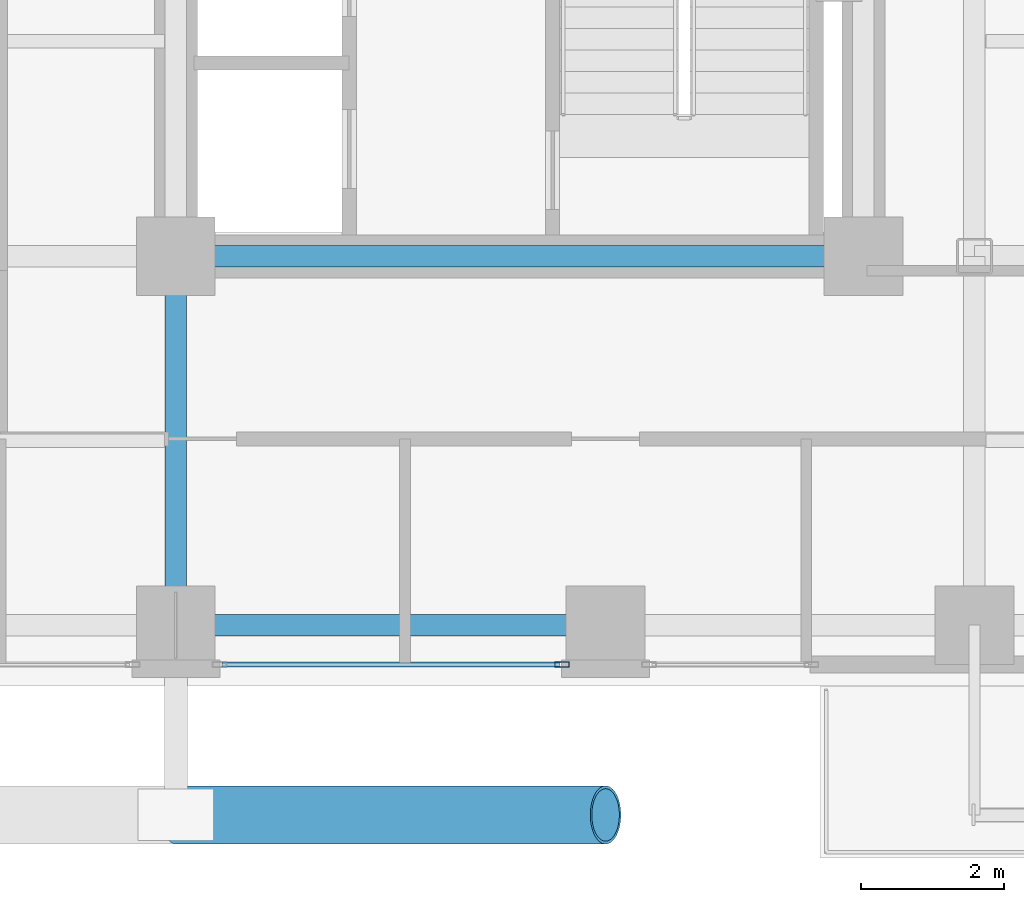
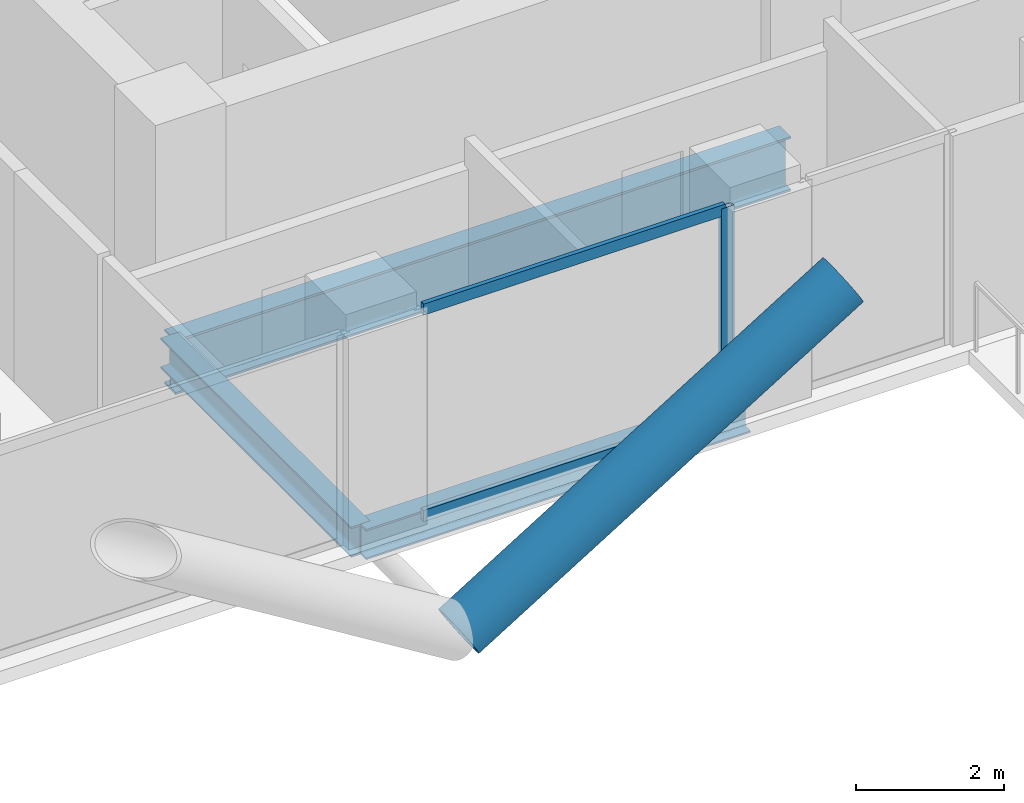
# One storey, part 5 of 28: 4 members, 3 beams, 1 element without a shape of its own.
"""IFC4 building model written with IfcOpenShell, lengths in metres."""

from ifc_helpers import new_model, si_unit, direction, frame, origin, origin_2d, place, context, subcontext, project, spatial, hollow_rectangle, hollow_circle, i_section, extrude, material, layer, layer_set, material_profile, profile_set, type_object, element, aggregate, save


model = new_model("IFC4")

# Units and contexts
model_context = context("Model", 3, precision=1e-05, world=origin(), true_north=direction((0.0, 1.0)))
body_context = subcontext(model_context, "Body", "Model", "MODEL_VIEW")
ifc_project = project(units=[si_unit("LENGTHUNIT", "METRE"), si_unit("AREAUNIT", "SQUARE_METRE"), si_unit("VOLUMEUNIT", "CUBIC_METRE"), si_unit("PLANEANGLEUNIT", "RADIAN"), si_unit("MASSUNIT", "GRAM", prefix="KILO"), si_unit("THERMODYNAMICTEMPERATUREUNIT", "KELVIN"), si_unit("POWERUNIT", "WATT")], contexts=[model_context])

# Site, building, storey
site_placement = place(None, origin())
site = spatial("IfcSite", under=ifc_project, at=site_placement, CompositionType="ELEMENT")
building_placement = place(site_placement, origin())
building = spatial("IfcBuilding", under=site, at=building_placement, Name="Svarakhadi Broadcast Tower", CompositionType="ELEMENT")
storey_placement = place(building_placement, frame((0.0, 0.0, 107.10009765625)))
storey = spatial("IfcBuildingStorey", under=building, at=storey_placement, Name="L25", CompositionType="ELEMENT", Elevation=107.10009765625)

# Curtain wall, members
ifc_material_1 = material(Name="Anodised Bronze Aluminium AA 6063-T6", Category="aluminium")
ifc_layer = layer(ifc_material_1, 0.199951171875)
ifc_layer_set = layer_set([ifc_layer], Name="Anodised Bronze Aluminium AA 6063-T6")
curtain_wall_type = type_object("IfcCurtainWallType", Name="CW_Sys_03", PredefinedType="NOTDEFINED", material=ifc_layer_set)
curtain_wall_placement = place(storey_placement, origin())
curtain_wall = element("IfcCurtainWall", 1, at=curtain_wall_placement, inside=storey, type_object=curtain_wall_type, Name="L25 South Curtain Wall 17 Bay 2", PredefinedType="NOTDEFINED")
ifc_material_profile_1 = material_profile(ifc_material_1, hollow_rectangle(XDim=0.074951171875, YDim=0.199951171875, WallThickness=0.005615234375, at=origin_2d()), Name="ALU MULLION 200x75x6")
ifc_profile_set_1 = profile_set([ifc_material_profile_1], Name="Anodised Bronze Aluminium AA 6063-T6")
member_type_1 = type_object("IfcMemberType", Name="CW_Sys_03_Mul", PredefinedType="MULLION", material=ifc_profile_set_1)
member_1_placement = place(storey_placement, frame((29.392578125, 0.300048828125, 0.0), z_axis=(0.0, 0.0, 1.0), x_axis=(0.0, -1.0, 0.0)))
member_1 = element("IfcMember", 2, at=member_1_placement, type_object=member_type_1, Name="CW-03 mullion 1", PredefinedType="MULLION", context=body_context, shape_type="SweptSolid", body=[
    extrude(hollow_rectangle(XDim=0.074951171875, YDim=0.199951171875, WallThickness=0.005615234375, at=origin_2d()), origin(), (0.0, 0.0, 1.0), 3.474853515625),
])
ifc_material_profile_2 = material_profile(ifc_material_1, hollow_rectangle(XDim=0.070068359375, YDim=0.18505859375, WallThickness=0.0048828125, at=origin_2d()), Name="ALU TRANSOM 185x70x5")
ifc_profile_set_2 = profile_set([ifc_material_profile_2], Name="Anodised Bronze Aluminium AA 6063-T6")
member_type_2 = type_object("IfcMemberType", Name="CW_Sys_03_Trn", PredefinedType="USERDEFINED", material=ifc_profile_set_2)
member_2_placement = place(storey_placement, frame((29.35498046875, 0.300048828125, 0.034912109375), z_axis=(-1.0, 0.0, 0.0), x_axis=(0.0, -1.0, 0.0)))
member_2 = element("IfcMember", 3, at=member_2_placement, type_object=member_type_2, Name="CW-03 transom 1.1", ObjectType="TRANSOM", PredefinedType="USERDEFINED", context=body_context, shape_type="SweptSolid", body=[
    extrude(hollow_rectangle(XDim=0.070068359375, YDim=0.18505859375, WallThickness=0.0048828125, at=origin_2d()), origin(), (0.0, 0.0, 1.0), 4.7099609375),
])
member_3_placement = place(storey_placement, frame((29.35498046875, 0.300048828125, 3.43994140625), z_axis=(-1.0, 0.0, 0.0), x_axis=(0.0, -1.0, 0.0)))
member_3 = element("IfcMember", 4, at=member_3_placement, type_object=member_type_2, Name="CW-03 transom 1.2", ObjectType="TRANSOM", PredefinedType="USERDEFINED", context=body_context, shape_type="SweptSolid", body=[
    extrude(hollow_rectangle(XDim=0.070068359375, YDim=0.18505859375, WallThickness=0.0048828125, at=origin_2d()), origin(), (0.0, 0.0, 1.0), 4.7099609375),
])
aggregate(curtain_wall, [member_1, member_2, member_3])

# Member
ifc_material_2 = material(Name="Steel S460ML (IS 2062 E450BR)", Category="steel")
ifc_material_profile_3 = material_profile(ifc_material_2, hollow_circle(Radius=0.406494140625, WallThickness=0.0400390625, at=origin_2d()), Name="CHS 813x40")
ifc_profile_set_3 = profile_set([ifc_material_profile_3], Name="Steel S460ML (IS 2062 E450BR)")
member_type_3 = type_object("IfcMemberType", Name="Exo_Brace_CHS813", PredefinedType="BRACE", material=ifc_profile_set_3)
member_4_placement = place(storey_placement, frame((24.0, -1.800048828125, -0.386962890625), z_axis=(0.851173964427, 0.0, 0.524883684525), x_axis=(0.0, 1.0, 0.0)))
element("IfcMember", 5, at=member_4_placement, inside=storey, type_object=member_type_3, Name="L25 Exposed Bronze Exoskeleton Diagonal S04", PredefinedType="BRACE", context=body_context, shape_type="SweptSolid", body=[
    extrude(hollow_circle(Radius=0.406494140625, WallThickness=0.0400390625, at=origin_2d()), origin(), (0.0, 0.0, 1.0), 7.049072265625),
])

# Beams
ifc_material_3 = material(Name="Steel S355J2 (IS 2062 E350C)", Category="steel")
ifc_material_profile_4 = material_profile(ifc_material_3, i_section(OverallWidth=0.300048828125, OverallDepth=0.5, WebThickness=0.014404296875, FlangeThickness=0.028076171875, FilletRadius=0.027099609375, at=origin_2d()), Name="WPB 500x300x187")
ifc_profile_set_4 = profile_set([ifc_material_profile_4], Name="Steel S355J2 (IS 2062 E350C)")
beam_type_1 = type_object("IfcBeamType", Name="Girder_WPB500", PredefinedType="USERDEFINED", material=ifc_profile_set_4)
beam_1_placement = place(storey_placement, frame((24.0, 0.85009765625, -0.47509765625), z_axis=(1.0, 0.0, 0.0), x_axis=(0.0, 1.0, 0.0)))
element("IfcBeam", 6, at=beam_1_placement, inside=storey, type_object=beam_type_1, Name="L25 Primary E-W Girder G007", ObjectType="GIRDER", PredefinedType="USERDEFINED", context=body_context, shape_type="SweptSolid", body=[
    extrude(i_section(OverallWidth=0.300048828125, OverallDepth=0.5, WebThickness=0.014404296875, FlangeThickness=0.028076171875, FilletRadius=0.027099609375, at=origin_2d()), origin(), (0.0, 0.0, 1.0), 6.0),
])
beam_2_placement = place(storey_placement, frame((24.0, 0.85009765625, -0.47509765625), z_axis=(0.0, 1.0, 0.0), x_axis=(-1.0, 0.0, 0.0)))
element("IfcBeam", 7, at=beam_2_placement, inside=storey, type_object=beam_type_1, Name="L25 Primary N-S Girder G062", ObjectType="GIRDER", PredefinedType="USERDEFINED", context=body_context, shape_type="SweptSolid", body=[
    extrude(i_section(OverallWidth=0.300048828125, OverallDepth=0.5, WebThickness=0.014404296875, FlangeThickness=0.028076171875, FilletRadius=0.027099609375, at=origin_2d()), origin(), (0.0, 0.0, 1.0), 5.14990234375),
])
ifc_material_profile_5 = material_profile(ifc_material_2, i_section(OverallWidth=0.300048828125, OverallDepth=0.89990234375, WebThickness=0.0185546875, FlangeThickness=0.034912109375, FilletRadius=0.030029296875, at=origin_2d()), Name="WPB 900x300x291")
ifc_profile_set_5 = profile_set([ifc_material_profile_5], Name="Steel S460ML (IS 2062 E450BR)")
beam_type_2 = type_object("IfcBeamType", Name="Girder_WPB900", PredefinedType="USERDEFINED", material=ifc_profile_set_5)
beam_3_placement = place(storey_placement, frame((24.0, 6.0, -0.675048828125), z_axis=(1.0, 0.0, 0.0), x_axis=(0.0, 1.0, 0.0)))
element("IfcBeam", 8, at=beam_3_placement, inside=storey, type_object=beam_type_2, Name="L25 Primary E-W Girder G014", ObjectType="GIRDER", PredefinedType="USERDEFINED", context=body_context, shape_type="SweptSolid", body=[
    extrude(i_section(OverallWidth=0.300048828125, OverallDepth=0.89990234375, WebThickness=0.0185546875, FlangeThickness=0.034912109375, FilletRadius=0.030029296875, at=origin_2d()), origin(), (0.0, 0.0, 1.0), 9.60009765625),
])

save(model, "model.ifc")
